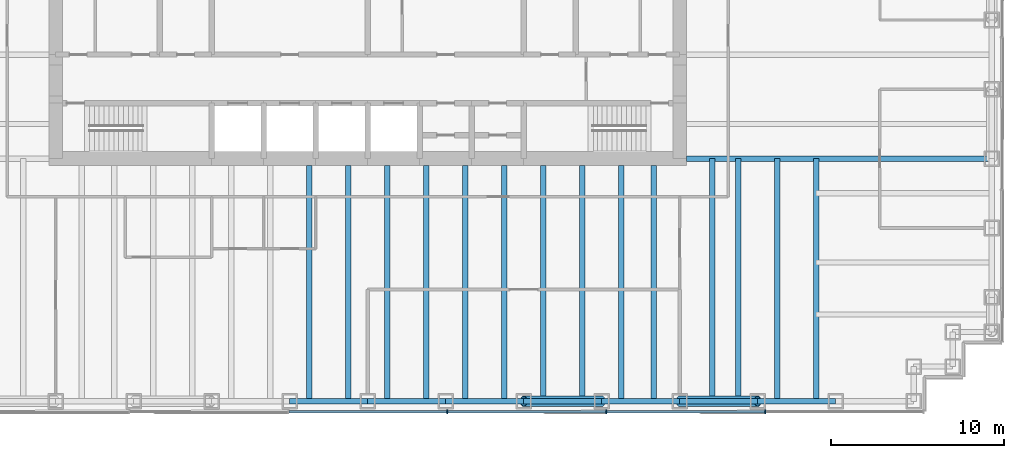
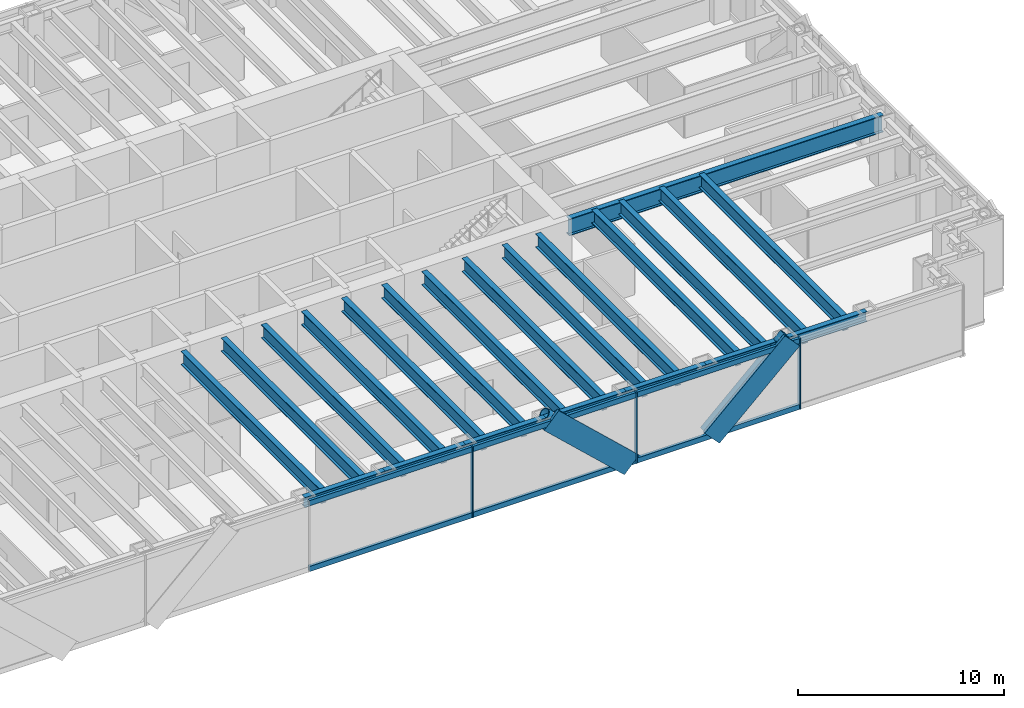
# One storey, part 3 of 14: 22 beams, 13 members, 1 element without a shape of its own.
"""IFC4 building model written with IfcOpenShell, lengths in metres."""

from ifc_helpers import new_model, si_unit, direction, frame, origin, origin_2d, place, context, subcontext, project, spatial, rectangle, hollow_circle, i_section, extrude, material, material_profile, profile_set, type_object, element, aggregate, save


model = new_model("IFC4")

# Units and contexts
model_context = context("Model", 3, precision=1e-05, world=origin(), true_north=direction((0.0, 1.0)))
body_context = subcontext(model_context, "Body", "Model", "MODEL_VIEW")
ifc_project = project(units=[si_unit("LENGTHUNIT", "METRE"), si_unit("AREAUNIT", "SQUARE_METRE"), si_unit("VOLUMEUNIT", "CUBIC_METRE"), si_unit("PLANEANGLEUNIT", "RADIAN"), si_unit("MASSUNIT", "GRAM", prefix="KILO")], contexts=[model_context])

# Site, building, storey
site_placement = place(None, origin())
site = spatial("IfcSite", under=ifc_project, at=site_placement, CompositionType="ELEMENT")
building_placement = place(site_placement, origin())
building = spatial("IfcBuilding", under=site, at=building_placement, Name="Rheinbord Bourse Tower", CompositionType="ELEMENT")
storey_placement = place(building_placement, frame((0.0, 0.0, 232.0)))
storey = spatial("IfcBuildingStorey", under=building, at=storey_placement, Name="L52", CompositionType="ELEMENT", Elevation=232.0)

# Curtain wall, members
ifc_material_1 = material(Name="Dark glass and black aluminium", Category="aluminium")
curtain_wall_type = type_object("IfcCurtainWallType", Name="CW2 DARK GLASS CURTAIN WALL", PredefinedType="USERDEFINED", material=ifc_material_1)
curtain_wall_placement = place(storey_placement, origin())
curtain_wall = element("IfcCurtainWall", 1, at=curtain_wall_placement, inside=storey, type_object=curtain_wall_type, Name="Curtain wall CW2 S L52", ObjectType="UNITISED CURTAIN WALL", PredefinedType="USERDEFINED")
ifc_material_2 = material(Name="Black anodised aluminium", Category="aluminium")
ifc_material_profile_1 = material_profile(ifc_material_2, rectangle(XDim=0.159912109375, YDim=1.2099609375, at=origin_2d()), Name="CW2 DIAGONAL MULLION 1210x160")
ifc_profile_set_1 = profile_set([ifc_material_profile_1], Name="Black anodised aluminium")
member_type_1 = type_object("IfcMemberType", Name="CW2 BLACK DIAGONAL MULLION", PredefinedType="USERDEFINED", material=ifc_profile_set_1)
member_1_placement = place(storey_placement, frame((54.0, 1.39990234375, 0.0), z_axis=(0.73105922506, 0.0, 0.682314010889), x_axis=(0.0, 1.0, 0.0)))
member_1 = element("IfcMember", 2, at=member_1_placement, type_object=member_type_1, Name="CW2 diagonal mullion b", ObjectType="DIAGONAL MULLION", PredefinedType="USERDEFINED", context=body_context, shape_type="SweptSolid", body=[
    extrude(rectangle(XDim=0.159912109375, YDim=1.2099609375, at=origin_2d()), origin(), (0.0, 0.0, 1.0), 6.155517578125),
])
member_2_placement = place(storey_placement, frame((49.5, 1.39990234375, 0.0), z_axis=(-0.73105922506, 0.0, 0.682314010889), x_axis=(0.0, -1.0, 0.0)))
member_2 = element("IfcMember", 3, at=member_2_placement, type_object=member_type_1, Name="CW2 diagonal mullion d", ObjectType="DIAGONAL MULLION", PredefinedType="USERDEFINED", context=body_context, shape_type="SweptSolid", body=[
    extrude(rectangle(XDim=0.159912109375, YDim=1.2099609375, at=origin_2d()), origin(), (0.0, 0.0, 1.0), 6.155517578125),
])
ifc_material_3 = material(Name="Black anodised aluminium", Category="aluminium")
ifc_material_profile_2 = material_profile(ifc_material_3, rectangle(XDim=0.219970703125, YDim=0.070068359375, at=origin_2d()), Name="CW2 MULLION 70x220")
ifc_profile_set_2 = profile_set([ifc_material_profile_2], Name="Black anodised aluminium")
member_type_2 = type_object("IfcMemberType", Name="CW2 BLACK MULLION", PredefinedType="MULLION", material=ifc_profile_set_2)
member_3_placement = place(storey_placement, frame((40.585693359375, 1.39990234375, 0.0), z_axis=(0.0, 0.0, 1.0), x_axis=(0.0, 1.0, 0.0)))
member_3 = element("IfcMember", 4, at=member_3_placement, type_object=member_type_2, Name="CW2 mullion 5", PredefinedType="MULLION", context=body_context, shape_type="SweptSolid", body=[
    extrude(rectangle(XDim=0.219970703125, YDim=0.070068359375, at=origin_2d()), origin(), (0.0, 0.0, 1.0), 4.199951171875),
])
member_4_placement = place(storey_placement, frame((49.757080078125, 1.39990234375, 0.0), z_axis=(0.0, 0.0, 1.0), x_axis=(0.0, 1.0, 0.0)))
member_4 = element("IfcMember", 5, at=member_4_placement, type_object=member_type_2, Name="CW2 mullion 6", PredefinedType="MULLION", context=body_context, shape_type="SweptSolid", body=[
    extrude(rectangle(XDim=0.219970703125, YDim=0.070068359375, at=origin_2d()), origin(), (0.0, 0.0, 1.0), 4.199951171875),
])
member_5_placement = place(storey_placement, frame((58.928466796875, 1.39990234375, 0.0), z_axis=(0.0, 0.0, 1.0), x_axis=(0.0, 1.0, 0.0)))
member_5 = element("IfcMember", 6, at=member_5_placement, type_object=member_type_2, Name="CW2 mullion 7", PredefinedType="MULLION", context=body_context, shape_type="SweptSolid", body=[
    extrude(rectangle(XDim=0.219970703125, YDim=0.070068359375, at=origin_2d()), origin(), (0.0, 0.0, 1.0), 4.199951171875),
])
ifc_material_4 = material(Name="Black anodised aluminium", Category="aluminium")
ifc_material_profile_3 = material_profile(ifc_material_4, rectangle(XDim=0.159912109375, YDim=0.300048828125, at=origin_2d()), Name="CW2 TRANSOM 300x160")
ifc_profile_set_3 = profile_set([ifc_material_profile_3], Name="Black anodised aluminium")
member_type_3 = type_object("IfcMemberType", Name="CW2 BLACK TRANSOM", PredefinedType="USERDEFINED", material=ifc_profile_set_3)
member_6_placement = place(storey_placement, frame((31.44921875, 1.39990234375, 0.14990234375), z_axis=(1.0, 0.0, 0.0), x_axis=(0.0, 1.0, 0.0)))
member_6 = element("IfcMember", 7, at=member_6_placement, type_object=member_type_3, Name="CW2 transom 4.1", ObjectType="TRANSOM", PredefinedType="USERDEFINED", context=body_context, shape_type="SweptSolid", body=[
    extrude(rectangle(XDim=0.159912109375, YDim=0.300048828125, at=origin_2d()), origin(), (0.0, 0.0, 1.0), 9.1015625),
])
member_7_placement = place(storey_placement, frame((31.44921875, 1.39990234375, 4.050048828125), z_axis=(1.0, 0.0, 0.0), x_axis=(0.0, 1.0, 0.0)))
member_7 = element("IfcMember", 8, at=member_7_placement, type_object=member_type_3, Name="CW2 transom 4.2", ObjectType="TRANSOM", PredefinedType="USERDEFINED", context=body_context, shape_type="SweptSolid", body=[
    extrude(rectangle(XDim=0.159912109375, YDim=0.300048828125, at=origin_2d()), origin(), (0.0, 0.0, 1.0), 9.1015625),
])
member_8_placement = place(storey_placement, frame((40.62060546875, 1.39990234375, 0.14990234375), z_axis=(1.0, 0.0, 0.0), x_axis=(0.0, 1.0, 0.0)))
member_8 = element("IfcMember", 9, at=member_8_placement, type_object=member_type_3, Name="CW2 transom 5.1", ObjectType="TRANSOM", PredefinedType="USERDEFINED", context=body_context, shape_type="SweptSolid", body=[
    extrude(rectangle(XDim=0.159912109375, YDim=0.300048828125, at=origin_2d()), origin(), (0.0, 0.0, 1.0), 9.1015625),
])
member_9_placement = place(storey_placement, frame((40.62060546875, 1.39990234375, 4.050048828125), z_axis=(1.0, 0.0, 0.0), x_axis=(0.0, 1.0, 0.0)))
member_9 = element("IfcMember", 10, at=member_9_placement, type_object=member_type_3, Name="CW2 transom 5.2", ObjectType="TRANSOM", PredefinedType="USERDEFINED", context=body_context, shape_type="SweptSolid", body=[
    extrude(rectangle(XDim=0.159912109375, YDim=0.300048828125, at=origin_2d()), origin(), (0.0, 0.0, 1.0), 9.1015625),
])
member_10_placement = place(storey_placement, frame((49.792236328125, 1.39990234375, 0.14990234375), z_axis=(1.0, 0.0, 0.0), x_axis=(0.0, 1.0, 0.0)))
member_10 = element("IfcMember", 11, at=member_10_placement, type_object=member_type_3, Name="CW2 transom 6.1", ObjectType="TRANSOM", PredefinedType="USERDEFINED", context=body_context, shape_type="SweptSolid", body=[
    extrude(rectangle(XDim=0.159912109375, YDim=0.300048828125, at=origin_2d()), origin(), (0.0, 0.0, 1.0), 9.101318359375),
])
member_11_placement = place(storey_placement, frame((49.792236328125, 1.39990234375, 4.050048828125), z_axis=(1.0, 0.0, 0.0), x_axis=(0.0, 1.0, 0.0)))
member_11 = element("IfcMember", 12, at=member_11_placement, type_object=member_type_3, Name="CW2 transom 6.2", ObjectType="TRANSOM", PredefinedType="USERDEFINED", context=body_context, shape_type="SweptSolid", body=[
    extrude(rectangle(XDim=0.159912109375, YDim=0.300048828125, at=origin_2d()), origin(), (0.0, 0.0, 1.0), 9.101318359375),
])
aggregate(curtain_wall, [member_3, member_4, member_5, member_6, member_7, member_8, member_9, member_10, member_11, member_1, member_2])

# Beams
ifc_material_5 = material(Name="Steel S460", Category="steel")
ifc_material_profile_4 = material_profile(ifc_material_5, i_section(OverallWidth=0.300048828125, OverallDepth=0.800048828125, WebThickness=0.017578125, FlangeThickness=0.032958984375, at=origin_2d()), Name="HEB 800")
ifc_profile_set_4 = profile_set([ifc_material_profile_4], Name="Steel S460")
beam_type_1 = type_object("IfcBeamType", Name="FLOOR BEAM HEB 800", PredefinedType="BEAM", material=ifc_profile_set_4)
for number, where, z_axis, x_axis, name in (
    (13, (32.625, 2.0, 3.639892578125), (0.0, 1.0, 0.0), (-1.0, 0.0, 0.0), "Floor beam S-31.5a L53"),
    (14, (34.875, 2.0, 3.639892578125), (0.0, 1.0, 0.0), (-1.0, 0.0, 0.0), "Floor beam S-31.5b L53"),
    (15, (37.125, 2.0, 3.639892578125), (0.0, 1.0, 0.0), (-1.0, 0.0, 0.0), "Floor beam S-36a L53"),
    (16, (39.375, 2.0, 3.639892578125), (0.0, 1.0, 0.0), (-1.0, 0.0, 0.0), "Floor beam S-36b L53"),
    (17, (41.625, 2.0, 3.639892578125), (0.0, 1.0, 0.0), (-1.0, 0.0, 0.0), "Floor beam S-40.5a L53"),
    (18, (43.875, 2.0, 3.639892578125), (0.0, 1.0, 0.0), (-1.0, 0.0, 0.0), "Floor beam S-40.5b L53"),
    (19, (46.125, 2.0, 3.639892578125), (0.0, 1.0, 0.0), (-1.0, 0.0, 0.0), "Floor beam S-45a L53"),
    (20, (48.375, 2.0, 3.639892578125), (0.0, 1.0, 0.0), (-1.0, 0.0, 0.0), "Floor beam S-45b L53"),
    (21, (50.625, 2.0, 3.639892578125), (0.0, 1.0, 0.0), (-1.0, 0.0, 0.0), "Floor beam S-49.5a L53"),
    (22, (52.5, 2.0, 3.639892578125), (0.0, 1.0, 0.0), (-1.0, 0.0, 0.0), "Floor beam S-49.5b L53"),
):
    element("IfcBeam", number, at=place(storey_placement, frame(where, z_axis=z_axis, x_axis=x_axis)), inside=storey, type_object=beam_type_1, Name=name, PredefinedType="BEAM", context=body_context, shape_type="SweptSolid", body=[
        extrude(i_section(OverallWidth=0.300048828125, OverallDepth=0.800048828125, WebThickness=0.017578125, FlangeThickness=0.032958984375, at=origin_2d()), origin(), (0.0, 0.0, 1.0), 13.60009765625),
    ])
for number, where, z_axis, x_axis, name in (
    (23, (55.875, 2.0, 3.639892578125), (0.0, 1.0, 0.0), (-1.0, 0.0, 0.0), "Floor beam S-54a L53"),
    (24, (57.375, 2.0, 3.639892578125), (0.0, 1.0, 0.0), (-1.0, 0.0, 0.0), "Floor beam S-54b L53"),
    (25, (59.625, 2.0, 3.639892578125), (0.0, 1.0, 0.0), (-1.0, 0.0, 0.0), "Floor beam S-58.5a L53"),
    (26, (61.875, 2.0, 3.639892578125), (0.0, 1.0, 0.0), (-1.0, 0.0, 0.0), "Floor beam S-58.5b L53"),
):
    element("IfcBeam", number, at=place(storey_placement, frame(where, z_axis=z_axis, x_axis=x_axis)), inside=storey, type_object=beam_type_1, Name=name, PredefinedType="BEAM", context=body_context, shape_type="SweptSolid", body=[
        extrude(i_section(OverallWidth=0.300048828125, OverallDepth=0.800048828125, WebThickness=0.017578125, FlangeThickness=0.032958984375, at=origin_2d()), origin(), (0.0, 0.0, 1.0), 14.0),
    ])
ifc_material_6 = material(Name="Steel S460", Category="steel")
ifc_material_profile_5 = material_profile(ifc_material_6, i_section(OverallWidth=0.302001953125, OverallDepth=1.008056640625, WebThickness=0.02099609375, FlangeThickness=0.0400390625, at=origin_2d()), Name="HEM 1000")
ifc_profile_set_5 = profile_set([ifc_material_profile_5], Name="Steel S460")
beam_type_2 = type_object("IfcBeamType", Name="GIRDER HEM 1000", PredefinedType="BEAM", material=ifc_profile_set_5)
beam_placement = place(storey_placement, frame((54.39990234375, 16.0, 3.535888671875), z_axis=(1.0, 0.0, 0.0), x_axis=(0.0, 1.0, 0.0)))
element("IfcBeam", 27, at=beam_placement, inside=storey, type_object=beam_type_2, Name="Girder east 16 L53", PredefinedType="BEAM", context=body_context, shape_type="SweptSolid", body=[
    extrude(i_section(OverallWidth=0.302001953125, OverallDepth=1.008056640625, WebThickness=0.02099609375, FlangeThickness=0.0400390625, at=origin_2d()), origin(), (0.0, 0.0, 1.0), 17.60009765625),
])

# Members
ifc_material_7 = material(Name="Steel S460", Category="steel")
ifc_material_profile_6 = material_profile(ifc_material_7, hollow_circle(Radius=0.304931640625, WallThickness=0.0400390625, at=origin_2d()), Name="CHS 610x40")
ifc_profile_set_6 = profile_set([ifc_material_profile_6], Name="Steel S460")
member_type_4 = type_object("IfcMemberType", Name="MEGABRACE CHS 610x40", PredefinedType="BRACE", material=ifc_profile_set_6)
for number, where, z_axis, x_axis, name in (
    (28, (54.0, 2.0, 0.0), (0.73105922506, 0.0, 0.682314010889), (0.0, 1.0, 0.0), "Megabrace S face line b L52"),
    (29, (49.5, 2.0, 0.0), (-0.73105922506, 0.0, 0.682314010889), (0.0, -1.0, 0.0), "Megabrace S face line d L52"),
):
    element("IfcMember", number, at=place(storey_placement, frame(where, z_axis=z_axis, x_axis=x_axis)), inside=storey, type_object=member_type_4, Name=name, PredefinedType="BRACE", context=body_context, shape_type="SweptSolid", body=[
        extrude(hollow_circle(Radius=0.304931640625, WallThickness=0.0400390625, at=origin_2d()), origin(), (0.0, 0.0, 1.0), 6.155517578125),
    ])

# Beams
ifc_material_8 = material(Name="Steel S460", Category="steel")
ifc_material_profile_7 = material_profile(ifc_material_8, i_section(OverallWidth=0.300048828125, OverallDepth=0.60009765625, WebThickness=0.015380859375, FlangeThickness=0.030029296875, at=origin_2d()), Name="HEB 600")
ifc_profile_set_7 = profile_set([ifc_material_profile_7], Name="Steel S460")
beam_type_3 = type_object("IfcBeamType", Name="SPANDREL HEB 600", PredefinedType="SPANDREL", material=ifc_profile_set_7)
for number, where, z_axis, x_axis, name in (
    (30, (31.5, 2.0, 3.739990234375), (1.0, 0.0, 0.0), (0.0, 1.0, 0.0), "Spandrel S-31.5-S-36 under L53"),
    (31, (36.0, 2.0, 3.739990234375), (1.0, 0.0, 0.0), (0.0, 1.0, 0.0), "Spandrel S-36-S-40.5 under L53"),
    (32, (40.5, 2.0, 3.739990234375), (1.0, 0.0, 0.0), (0.0, 1.0, 0.0), "Spandrel S-40.5-S-45 under L53"),
    (33, (45.0, 2.0, 3.739990234375), (1.0, 0.0, 0.0), (0.0, 1.0, 0.0), "Spandrel S-45-S-49.5 under L53"),
    (34, (49.5, 2.0, 3.739990234375), (1.0, 0.0, 0.0), (0.0, 1.0, 0.0), "Spandrel S-49.5-S-54 under L53"),
    (35, (54.0, 2.0, 3.739990234375), (1.0, 0.0, 0.0), (0.0, 1.0, 0.0), "Spandrel S-54-S-58.5 under L53"),
    (36, (58.5, 2.0, 3.739990234375), (1.0, 0.0, 0.0), (0.0, 1.0, 0.0), "Spandrel S-58.5-S-63 under L53"),
):
    element("IfcBeam", number, at=place(storey_placement, frame(where, z_axis=z_axis, x_axis=x_axis)), inside=storey, type_object=beam_type_3, Name=name, PredefinedType="SPANDREL", context=body_context, shape_type="SweptSolid", body=[
        extrude(i_section(OverallWidth=0.300048828125, OverallDepth=0.60009765625, WebThickness=0.015380859375, FlangeThickness=0.030029296875, at=origin_2d()), origin(), (0.0, 0.0, 1.0), 4.5),
    ])

save(model, "model.ifc")
